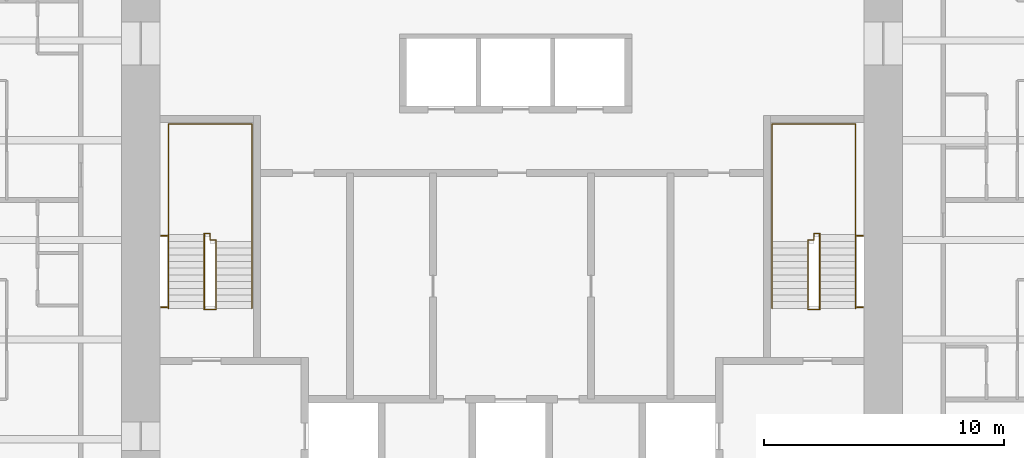
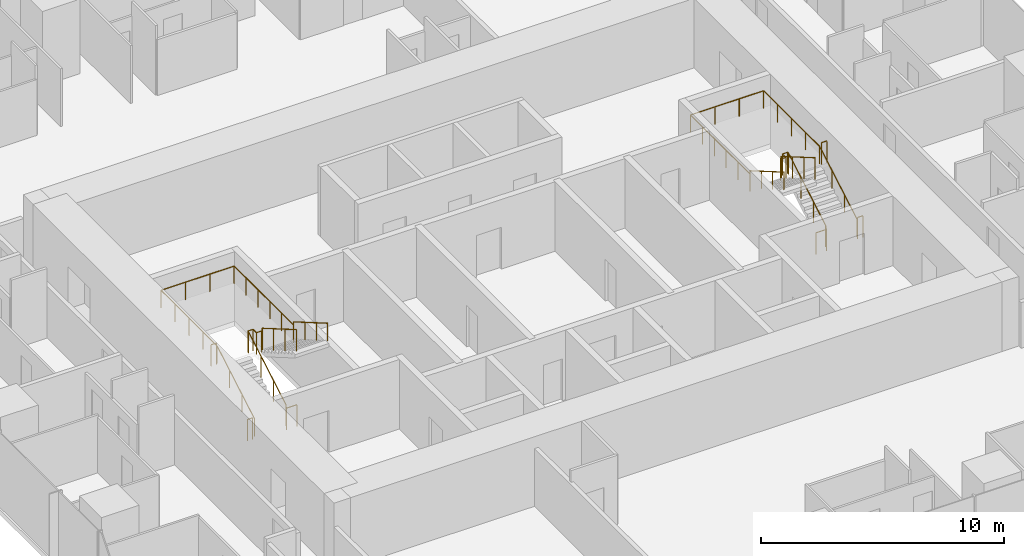
# One storey, part 12 of 12: 8 railings.
"""IFC4 building model written with IfcOpenShell, lengths in metres."""

from ifc_helpers import new_model, si_unit, direction, frame, origin, origin_2d, place, context, subcontext, project, spatial, circle, extrude, material, type_object, element, save


model = new_model("IFC4")

# Units and contexts
model_context = context("Model", 3, precision=1e-05, world=origin(), true_north=direction((0.0, 1.0)))
body_context = subcontext(model_context, "Body", "Model", "MODEL_VIEW")
ifc_project = project(units=[si_unit("LENGTHUNIT", "METRE"), si_unit("AREAUNIT", "SQUARE_METRE"), si_unit("VOLUMEUNIT", "CUBIC_METRE"), si_unit("PLANEANGLEUNIT", "RADIAN"), si_unit("MASSUNIT", "GRAM", prefix="KILO")], contexts=[model_context])

# Site, building, storey
site_placement = place(None, origin())
site = spatial("IfcSite", under=ifc_project, at=site_placement, CompositionType="ELEMENT")
building_placement = place(site_placement, origin())
building = spatial("IfcBuilding", under=site, at=building_placement, Name="Khuree Lantern Residences", CompositionType="ELEMENT")
storey_placement = place(building_placement, frame((0.0, 0.0, 244.5)))
storey = spatial("IfcBuildingStorey", under=building, at=storey_placement, Name="L61", CompositionType="ELEMENT", Elevation=244.5)

# Railings
ifc_material = material(Name="Steel S355", Category="steel")
railing_type_1 = type_object("IfcRailingType", Name="STAIR GUARD G1 1100", PredefinedType="GUARDRAIL", material=ifc_material)
railing_1_placement = place(storey_placement, frame((-12.35009765625, -2.909912109375, 0.0)))
element("IfcRailing", 1, at=railing_1_placement, inside=storey, type_object=railing_type_1, Name="Stair ST1 guard", PredefinedType="GUARDRAIL", context=body_context, shape_type="SweptSolid", body=[
    extrude(circle(Radius=0.02392578125, at=origin_2d()), frame((0.0, 0.0, 1.076171875), z_axis=(-1.0, 0.0, 0.0), x_axis=(0.0, -1.0, 0.0)), (0.0, 0.0, 1.0), 0.5),
    extrude(circle(Radius=0.02392578125, at=origin_2d()), frame((-0.5, 0.0, 1.076171875), z_axis=(0.0, 0.292073035251, 0.95639601739), x_axis=(-1.0, 0.0, 0.0)), (0.0, 0.0, 1.0), 0.17041015625),
    extrude(circle(Radius=0.02392578125, at=origin_2d()), frame((-0.5, 0.0498046875, 1.2392578125), z_axis=(0.0, 0.864176135923, 0.503189433615), x_axis=(-1.0, 0.0, 0.0)), (0.0, 0.0, 1.0), 3.564208984375),
    extrude(circle(Radius=0.02392578125, at=origin_2d()), frame((-0.5, 3.1298828125, 3.03271484375), z_axis=(0.0, 1.0, 0.0), x_axis=(-1.0, 0.0, 0.0)), (0.0, 0.0, 1.0), 0.050048828125),
    extrude(circle(Radius=0.02392578125, at=origin_2d()), frame((-0.5, 3.179931640625, 3.03271484375), z_axis=(1.0, 0.0, 0.0), x_axis=(0.0, 1.0, 0.0)), (0.0, 0.0, 1.0), 0.25),
    extrude(circle(Radius=0.02392578125, at=origin_2d()), frame((-0.25, 3.179931640625, 3.03271484375), z_axis=(0.0, -1.0, 0.0), x_axis=(1.0, 0.0, 0.0)), (0.0, 0.0, 1.0), 0.280029296875),
    extrude(circle(Radius=0.02392578125, at=origin_2d()), frame((-0.25, 2.89990234375, 3.03271484375), z_axis=(1.0, 0.0, 0.0), x_axis=(0.0, 1.0, 0.0)), (0.0, 0.0, 1.0), 0.25),
    extrude(circle(Radius=0.02392578125, at=origin_2d()), frame((0.0, 2.89990234375, 3.03271484375), z_axis=(0.0, -0.293381807449, 0.955995353053), x_axis=(1.0, 0.0, 0.0)), (0.0, 0.0, 1.0), 0.170654296875),
    extrude(circle(Radius=0.02392578125, at=origin_2d()), frame((0.0, 2.849853515625, 3.19580078125), z_axis=(0.0, -0.864180358799, 0.503182181189), x_axis=(1.0, 0.0, 0.0)), (0.0, 0.0, 1.0), 3.240234375),
    extrude(circle(Radius=0.02099609375, at=origin_2d()), origin(), (0.0, 0.0, 1.0), 1.052001953125),
    extrude(circle(Radius=0.02099609375, at=origin_2d()), frame((-0.5, 0.0, 0.0)), (0.0, 0.0, 1.0), 1.052001953125),
    extrude(circle(Radius=0.02099609375, at=origin_2d()), frame((-0.5, 0.0498046875, 0.1630859375)), (0.0, 0.0, 1.0), 1.052001953125),
    extrude(circle(Radius=0.02099609375, at=origin_2d()), frame((-0.5, 1.076416015625, 0.760986328125)), (0.0, 0.0, 1.0), 1.052001953125),
    extrude(circle(Radius=0.02099609375, at=origin_2d()), frame((-0.5, 2.103271484375, 1.358642578125)), (0.0, 0.0, 1.0), 1.052001953125),
    extrude(circle(Radius=0.02099609375, at=origin_2d()), frame((-0.5, 3.1298828125, 1.95654296875)), (0.0, 0.0, 1.0), 1.052001953125),
    extrude(circle(Radius=0.02099609375, at=origin_2d()), frame((-0.5, 3.179931640625, 1.95654296875)), (0.0, 0.0, 1.0), 1.052001953125),
    extrude(circle(Radius=0.02099609375, at=origin_2d()), frame((-0.25, 3.179931640625, 1.95654296875)), (0.0, 0.0, 1.0), 1.052001953125),
    extrude(circle(Radius=0.02099609375, at=origin_2d()), frame((-0.25, 2.89990234375, 1.95654296875)), (0.0, 0.0, 1.0), 1.052001953125),
    extrude(circle(Radius=0.02099609375, at=origin_2d()), frame((0.0, 2.89990234375, 1.95654296875)), (0.0, 0.0, 1.0), 1.052001953125),
    extrude(circle(Radius=0.02099609375, at=origin_2d()), frame((0.0, 2.849853515625, 2.11962890625)), (0.0, 0.0, 1.0), 1.052001953125),
    extrude(circle(Radius=0.02099609375, at=origin_2d()), frame((0.0, 1.91650390625, 2.6630859375)), (0.0, 0.0, 1.0), 1.052001953125),
    extrude(circle(Radius=0.02099609375, at=origin_2d()), frame((0.0, 0.983154296875, 3.20654296875)), (0.0, 0.0, 1.0), 1.052001953125),
    extrude(circle(Radius=0.02099609375, at=origin_2d()), frame((0.0, 0.0498046875, 3.75)), (0.0, 0.0, 1.0), 1.052001953125),
])
for number, where, name in (
    (2, (-14.64990234375, -2.81005859375, 0.0), "Stair ST1 landing slot guard"),
    (3, (-14.64990234375, 0.169921875, 1.95654296875), "Stair ST1 landing slot guard"),
):
    element("IfcRailing", number, at=place(storey_placement, frame(where)), inside=storey, type_object=railing_type_1, Name=name, PredefinedType="GUARDRAIL", context=body_context, shape_type="SweptSolid", body=[
        extrude(circle(Radius=0.02392578125, at=origin_2d()), frame((0.0, 0.0, 1.076171875), z_axis=(1.0, 0.0, 0.0), x_axis=(0.0, 1.0, 0.0)), (0.0, 0.0, 1.0), 0.25),
        extrude(circle(Radius=0.02099609375, at=origin_2d()), origin(), (0.0, 0.0, 1.0), 1.052001953125),
        extrude(circle(Radius=0.02099609375, at=origin_2d()), frame((0.25, 0.0, 0.0)), (0.0, 0.0, 1.0), 1.052001953125),
    ])
railing_2_placement = place(storey_placement, frame((12.35009765625, -2.909912109375, 0.0)))
element("IfcRailing", 4, at=railing_2_placement, inside=storey, type_object=railing_type_1, Name="Stair ST2 guard", PredefinedType="GUARDRAIL", context=body_context, shape_type="SweptSolid", body=[
    extrude(circle(Radius=0.02392578125, at=origin_2d()), frame((0.0, 0.0, 1.076171875), z_axis=(1.0, 0.0, 0.0), x_axis=(0.0, 1.0, 0.0)), (0.0, 0.0, 1.0), 0.5),
    extrude(circle(Radius=0.02392578125, at=origin_2d()), frame((0.5, 0.0, 1.076171875), z_axis=(0.0, 0.292073035251, 0.95639601739), x_axis=(-1.0, 0.0, 0.0)), (0.0, 0.0, 1.0), 0.17041015625),
    extrude(circle(Radius=0.02392578125, at=origin_2d()), frame((0.5, 0.0498046875, 1.2392578125), z_axis=(0.0, 0.864176135923, 0.503189433615), x_axis=(-1.0, 0.0, 0.0)), (0.0, 0.0, 1.0), 3.564208984375),
    extrude(circle(Radius=0.02392578125, at=origin_2d()), frame((0.5, 3.1298828125, 3.03271484375), z_axis=(0.0, 1.0, 0.0), x_axis=(-1.0, 0.0, 0.0)), (0.0, 0.0, 1.0), 0.050048828125),
    extrude(circle(Radius=0.02392578125, at=origin_2d()), frame((0.5, 3.179931640625, 3.03271484375), z_axis=(-1.0, 0.0, 0.0), x_axis=(0.0, -1.0, 0.0)), (0.0, 0.0, 1.0), 0.25),
    extrude(circle(Radius=0.02392578125, at=origin_2d()), frame((0.25, 3.179931640625, 3.03271484375), z_axis=(0.0, -1.0, 0.0), x_axis=(1.0, 0.0, 0.0)), (0.0, 0.0, 1.0), 0.280029296875),
    extrude(circle(Radius=0.02392578125, at=origin_2d()), frame((0.25, 2.89990234375, 3.03271484375), z_axis=(-1.0, 0.0, 0.0), x_axis=(0.0, -1.0, 0.0)), (0.0, 0.0, 1.0), 0.25),
    extrude(circle(Radius=0.02392578125, at=origin_2d()), frame((0.0, 2.89990234375, 3.03271484375), z_axis=(0.0, -0.293381807449, 0.955995353053), x_axis=(1.0, 0.0, 0.0)), (0.0, 0.0, 1.0), 0.170654296875),
    extrude(circle(Radius=0.02392578125, at=origin_2d()), frame((0.0, 2.849853515625, 3.19580078125), z_axis=(0.0, -0.864180358799, 0.503182181189), x_axis=(1.0, 0.0, 0.0)), (0.0, 0.0, 1.0), 3.240234375),
    extrude(circle(Radius=0.02099609375, at=origin_2d()), origin(), (0.0, 0.0, 1.0), 1.052001953125),
    extrude(circle(Radius=0.02099609375, at=origin_2d()), frame((0.5, 0.0, 0.0)), (0.0, 0.0, 1.0), 1.052001953125),
    extrude(circle(Radius=0.02099609375, at=origin_2d()), frame((0.5, 0.0498046875, 0.1630859375)), (0.0, 0.0, 1.0), 1.052001953125),
    extrude(circle(Radius=0.02099609375, at=origin_2d()), frame((0.5, 1.076416015625, 0.760986328125)), (0.0, 0.0, 1.0), 1.052001953125),
    extrude(circle(Radius=0.02099609375, at=origin_2d()), frame((0.5, 2.103271484375, 1.358642578125)), (0.0, 0.0, 1.0), 1.052001953125),
    extrude(circle(Radius=0.02099609375, at=origin_2d()), frame((0.5, 3.1298828125, 1.95654296875)), (0.0, 0.0, 1.0), 1.052001953125),
    extrude(circle(Radius=0.02099609375, at=origin_2d()), frame((0.5, 3.179931640625, 1.95654296875)), (0.0, 0.0, 1.0), 1.052001953125),
    extrude(circle(Radius=0.02099609375, at=origin_2d()), frame((0.25, 3.179931640625, 1.95654296875)), (0.0, 0.0, 1.0), 1.052001953125),
    extrude(circle(Radius=0.02099609375, at=origin_2d()), frame((0.25, 2.89990234375, 1.95654296875)), (0.0, 0.0, 1.0), 1.052001953125),
    extrude(circle(Radius=0.02099609375, at=origin_2d()), frame((0.0, 2.89990234375, 1.95654296875)), (0.0, 0.0, 1.0), 1.052001953125),
    extrude(circle(Radius=0.02099609375, at=origin_2d()), frame((0.0, 2.849853515625, 2.11962890625)), (0.0, 0.0, 1.0), 1.052001953125),
    extrude(circle(Radius=0.02099609375, at=origin_2d()), frame((0.0, 1.91650390625, 2.6630859375)), (0.0, 0.0, 1.0), 1.052001953125),
    extrude(circle(Radius=0.02099609375, at=origin_2d()), frame((0.0, 0.983154296875, 3.20654296875)), (0.0, 0.0, 1.0), 1.052001953125),
    extrude(circle(Radius=0.02099609375, at=origin_2d()), frame((0.0, 0.0498046875, 3.75)), (0.0, 0.0, 1.0), 1.052001953125),
])
for number, where, name in (
    (5, (14.64990234375, -2.81005859375, 0.0), "Stair ST2 landing slot guard"),
    (6, (14.64990234375, 0.169921875, 1.95654296875), "Stair ST2 landing slot guard"),
):
    element("IfcRailing", number, at=place(storey_placement, frame(where)), inside=storey, type_object=railing_type_1, Name=name, PredefinedType="GUARDRAIL", context=body_context, shape_type="SweptSolid", body=[
        extrude(circle(Radius=0.02392578125, at=origin_2d()), frame((0.0, 0.0, 1.076171875), z_axis=(-1.0, 0.0, 0.0), x_axis=(0.0, -1.0, 0.0)), (0.0, 0.0, 1.0), 0.25),
        extrude(circle(Radius=0.02099609375, at=origin_2d()), origin(), (0.0, 0.0, 1.0), 1.052001953125),
        extrude(circle(Radius=0.02099609375, at=origin_2d()), frame((-0.25, 0.0, 0.0)), (0.0, 0.0, 1.0), 1.052001953125),
    ])
railing_type_2 = type_object("IfcRailingType", Name="STAIR HANDRAIL H1 900", PredefinedType="HANDRAIL", material=ifc_material)
railing_3_placement = place(storey_placement, frame((-14.340087890625, -2.860107421875, 0.1630859375)))
element("IfcRailing", 7, at=railing_3_placement, inside=storey, type_object=railing_type_2, Name="Stair ST1 handrail", PredefinedType="HANDRAIL", context=body_context, shape_type="SweptSolid", body=[
    extrude(circle(Radius=0.02392578125, at=origin_2d()), frame((0.0, 0.0, 0.8759765625), z_axis=(0.0, 0.864176135923, 0.503189433615), x_axis=(-1.0, 0.0, 0.0)), (0.0, 0.0, 1.0), 3.564208984375),
    extrude(circle(Radius=0.02392578125, at=origin_2d()), frame((0.0, 3.080078125, 2.66943359375), z_axis=(0.0, 1.0, 0.0), x_axis=(-1.0, 0.0, 0.0)), (0.0, 0.0, 1.0), 4.6201171875),
    extrude(circle(Radius=0.02392578125, at=origin_2d()), frame((0.0, 7.7001953125, 2.66943359375), z_axis=(1.0, 0.0, 0.0), x_axis=(0.0, 1.0, 0.0)), (0.0, 0.0, 1.0), 3.47998046875),
    extrude(circle(Radius=0.02392578125, at=origin_2d()), frame((3.47998046875, 7.7001953125, 2.66943359375), z_axis=(0.0, -1.0, 0.0), x_axis=(1.0, 0.0, 0.0)), (0.0, 0.0, 1.0), 4.900146484375),
    extrude(circle(Radius=0.02392578125, at=origin_2d()), frame((3.47998046875, 2.800048828125, 2.66943359375), z_axis=(0.0, 0.0, 1.0), x_axis=(1.0, 0.0, 0.0)), (0.0, 0.0, 1.0), 0.1630859375),
    extrude(circle(Radius=0.02392578125, at=origin_2d()), frame((3.47998046875, 2.800048828125, 2.83251953125), z_axis=(0.0, -0.864180358799, 0.503182181189), x_axis=(1.0, 0.0, 0.0)), (0.0, 0.0, 1.0), 3.240234375),
    extrude(circle(Radius=0.02099609375, at=origin_2d()), origin(), (0.0, 0.0, 1.0), 0.851806640625),
    extrude(circle(Radius=0.02099609375, at=origin_2d()), frame((0.0, 1.026611328125, 0.597900390625)), (0.0, 0.0, 1.0), 0.851806640625),
    extrude(circle(Radius=0.02099609375, at=origin_2d()), frame((0.0, 2.053466796875, 1.195556640625)), (0.0, 0.0, 1.0), 0.851806640625),
    extrude(circle(Radius=0.02099609375, at=origin_2d()), frame((0.0, 3.080078125, 1.79345703125)), (0.0, 0.0, 1.0), 0.851806640625),
    extrude(circle(Radius=0.02099609375, at=origin_2d()), frame((0.0, 4.235107421875, 1.79345703125)), (0.0, 0.0, 1.0), 0.851806640625),
    extrude(circle(Radius=0.02099609375, at=origin_2d()), frame((0.0, 5.39013671875, 1.79345703125)), (0.0, 0.0, 1.0), 0.851806640625),
    extrude(circle(Radius=0.02099609375, at=origin_2d()), frame((0.0, 6.545166015625, 1.79345703125)), (0.0, 0.0, 1.0), 0.851806640625),
    extrude(circle(Radius=0.02099609375, at=origin_2d()), frame((0.0, 7.7001953125, 1.79345703125)), (0.0, 0.0, 1.0), 0.851806640625),
    extrude(circle(Radius=0.02099609375, at=origin_2d()), frame((1.159912109375, 7.7001953125, 1.79345703125)), (0.0, 0.0, 1.0), 0.851806640625),
    extrude(circle(Radius=0.02099609375, at=origin_2d()), frame((2.320068359375, 7.7001953125, 1.79345703125)), (0.0, 0.0, 1.0), 0.851806640625),
    extrude(circle(Radius=0.02099609375, at=origin_2d()), frame((3.47998046875, 7.7001953125, 1.79345703125)), (0.0, 0.0, 1.0), 0.851806640625),
    extrude(circle(Radius=0.02099609375, at=origin_2d()), frame((3.47998046875, 6.72021484375, 1.79345703125)), (0.0, 0.0, 1.0), 0.851806640625),
    extrude(circle(Radius=0.02099609375, at=origin_2d()), frame((3.47998046875, 5.740234375, 1.79345703125)), (0.0, 0.0, 1.0), 0.851806640625),
    extrude(circle(Radius=0.02099609375, at=origin_2d()), frame((3.47998046875, 4.760009765625, 1.79345703125)), (0.0, 0.0, 1.0), 0.851806640625),
    extrude(circle(Radius=0.02099609375, at=origin_2d()), frame((3.47998046875, 3.780029296875, 1.79345703125)), (0.0, 0.0, 1.0), 0.851806640625),
    extrude(circle(Radius=0.02099609375, at=origin_2d()), frame((3.47998046875, 2.800048828125, 1.79345703125)), (0.0, 0.0, 1.0), 0.851806640625),
    extrude(circle(Radius=0.02099609375, at=origin_2d()), frame((3.47998046875, 2.800048828125, 1.95654296875)), (0.0, 0.0, 1.0), 0.851806640625),
    extrude(circle(Radius=0.02099609375, at=origin_2d()), frame((3.47998046875, 1.86669921875, 2.5)), (0.0, 0.0, 1.0), 0.851806640625),
    extrude(circle(Radius=0.02099609375, at=origin_2d()), frame((3.47998046875, 0.933349609375, 3.04345703125)), (0.0, 0.0, 1.0), 0.851806640625),
    extrude(circle(Radius=0.02099609375, at=origin_2d()), frame((3.47998046875, 0.0, 3.5869140625)), (0.0, 0.0, 1.0), 0.851806640625),
])
railing_4_placement = place(storey_placement, frame((14.340087890625, -2.860107421875, 0.1630859375)))
element("IfcRailing", 8, at=railing_4_placement, inside=storey, type_object=railing_type_2, Name="Stair ST2 handrail", PredefinedType="HANDRAIL", context=body_context, shape_type="SweptSolid", body=[
    extrude(circle(Radius=0.02392578125, at=origin_2d()), frame((0.0, 0.0, 0.8759765625), z_axis=(0.0, 0.864176135923, 0.503189433615), x_axis=(-1.0, 0.0, 0.0)), (0.0, 0.0, 1.0), 3.564208984375),
    extrude(circle(Radius=0.02392578125, at=origin_2d()), frame((0.0, 3.080078125, 2.66943359375), z_axis=(0.0, 1.0, 0.0), x_axis=(-1.0, 0.0, 0.0)), (0.0, 0.0, 1.0), 4.6201171875),
    extrude(circle(Radius=0.02392578125, at=origin_2d()), frame((0.0, 7.7001953125, 2.66943359375), z_axis=(-1.0, 0.0, 0.0), x_axis=(0.0, -1.0, 0.0)), (0.0, 0.0, 1.0), 3.47998046875),
    extrude(circle(Radius=0.02392578125, at=origin_2d()), frame((-3.47998046875, 7.7001953125, 2.66943359375), z_axis=(0.0, -1.0, 0.0), x_axis=(1.0, 0.0, 0.0)), (0.0, 0.0, 1.0), 4.900146484375),
    extrude(circle(Radius=0.02392578125, at=origin_2d()), frame((-3.47998046875, 2.800048828125, 2.66943359375), z_axis=(0.0, 0.0, 1.0), x_axis=(1.0, 0.0, 0.0)), (0.0, 0.0, 1.0), 0.1630859375),
    extrude(circle(Radius=0.02392578125, at=origin_2d()), frame((-3.47998046875, 2.800048828125, 2.83251953125), z_axis=(0.0, -0.864180358799, 0.503182181189), x_axis=(1.0, 0.0, 0.0)), (0.0, 0.0, 1.0), 3.240234375),
    extrude(circle(Radius=0.02099609375, at=origin_2d()), origin(), (0.0, 0.0, 1.0), 0.851806640625),
    extrude(circle(Radius=0.02099609375, at=origin_2d()), frame((0.0, 1.026611328125, 0.597900390625)), (0.0, 0.0, 1.0), 0.851806640625),
    extrude(circle(Radius=0.02099609375, at=origin_2d()), frame((0.0, 2.053466796875, 1.195556640625)), (0.0, 0.0, 1.0), 0.851806640625),
    extrude(circle(Radius=0.02099609375, at=origin_2d()), frame((0.0, 3.080078125, 1.79345703125)), (0.0, 0.0, 1.0), 0.851806640625),
    extrude(circle(Radius=0.02099609375, at=origin_2d()), frame((0.0, 4.235107421875, 1.79345703125)), (0.0, 0.0, 1.0), 0.851806640625),
    extrude(circle(Radius=0.02099609375, at=origin_2d()), frame((0.0, 5.39013671875, 1.79345703125)), (0.0, 0.0, 1.0), 0.851806640625),
    extrude(circle(Radius=0.02099609375, at=origin_2d()), frame((0.0, 6.545166015625, 1.79345703125)), (0.0, 0.0, 1.0), 0.851806640625),
    extrude(circle(Radius=0.02099609375, at=origin_2d()), frame((0.0, 7.7001953125, 1.79345703125)), (0.0, 0.0, 1.0), 0.851806640625),
    extrude(circle(Radius=0.02099609375, at=origin_2d()), frame((-1.159912109375, 7.7001953125, 1.79345703125)), (0.0, 0.0, 1.0), 0.851806640625),
    extrude(circle(Radius=0.02099609375, at=origin_2d()), frame((-2.320068359375, 7.7001953125, 1.79345703125)), (0.0, 0.0, 1.0), 0.851806640625),
    extrude(circle(Radius=0.02099609375, at=origin_2d()), frame((-3.47998046875, 7.7001953125, 1.79345703125)), (0.0, 0.0, 1.0), 0.851806640625),
    extrude(circle(Radius=0.02099609375, at=origin_2d()), frame((-3.47998046875, 6.72021484375, 1.79345703125)), (0.0, 0.0, 1.0), 0.851806640625),
    extrude(circle(Radius=0.02099609375, at=origin_2d()), frame((-3.47998046875, 5.740234375, 1.79345703125)), (0.0, 0.0, 1.0), 0.851806640625),
    extrude(circle(Radius=0.02099609375, at=origin_2d()), frame((-3.47998046875, 4.760009765625, 1.79345703125)), (0.0, 0.0, 1.0), 0.851806640625),
    extrude(circle(Radius=0.02099609375, at=origin_2d()), frame((-3.47998046875, 3.780029296875, 1.79345703125)), (0.0, 0.0, 1.0), 0.851806640625),
    extrude(circle(Radius=0.02099609375, at=origin_2d()), frame((-3.47998046875, 2.800048828125, 1.79345703125)), (0.0, 0.0, 1.0), 0.851806640625),
    extrude(circle(Radius=0.02099609375, at=origin_2d()), frame((-3.47998046875, 2.800048828125, 1.95654296875)), (0.0, 0.0, 1.0), 0.851806640625),
    extrude(circle(Radius=0.02099609375, at=origin_2d()), frame((-3.47998046875, 1.86669921875, 2.5)), (0.0, 0.0, 1.0), 0.851806640625),
    extrude(circle(Radius=0.02099609375, at=origin_2d()), frame((-3.47998046875, 0.933349609375, 3.04345703125)), (0.0, 0.0, 1.0), 0.851806640625),
    extrude(circle(Radius=0.02099609375, at=origin_2d()), frame((-3.47998046875, 0.0, 3.5869140625)), (0.0, 0.0, 1.0), 0.851806640625),
])

save(model, "model.ifc")
